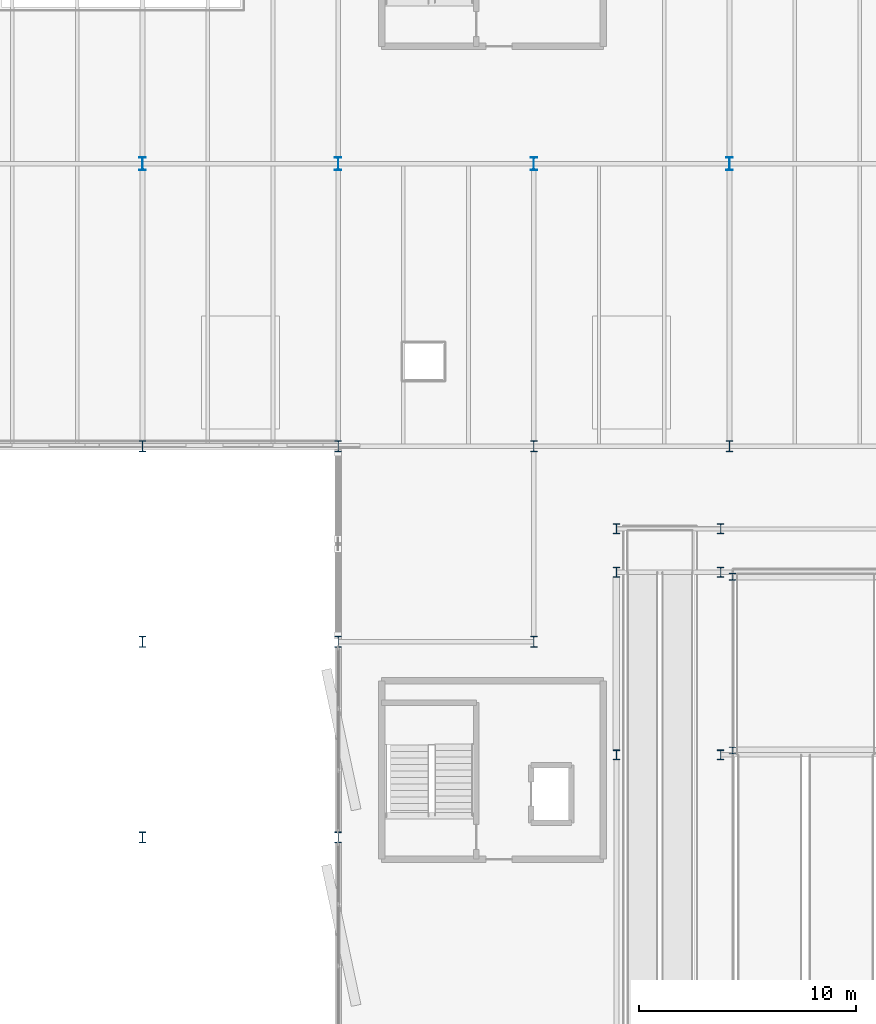
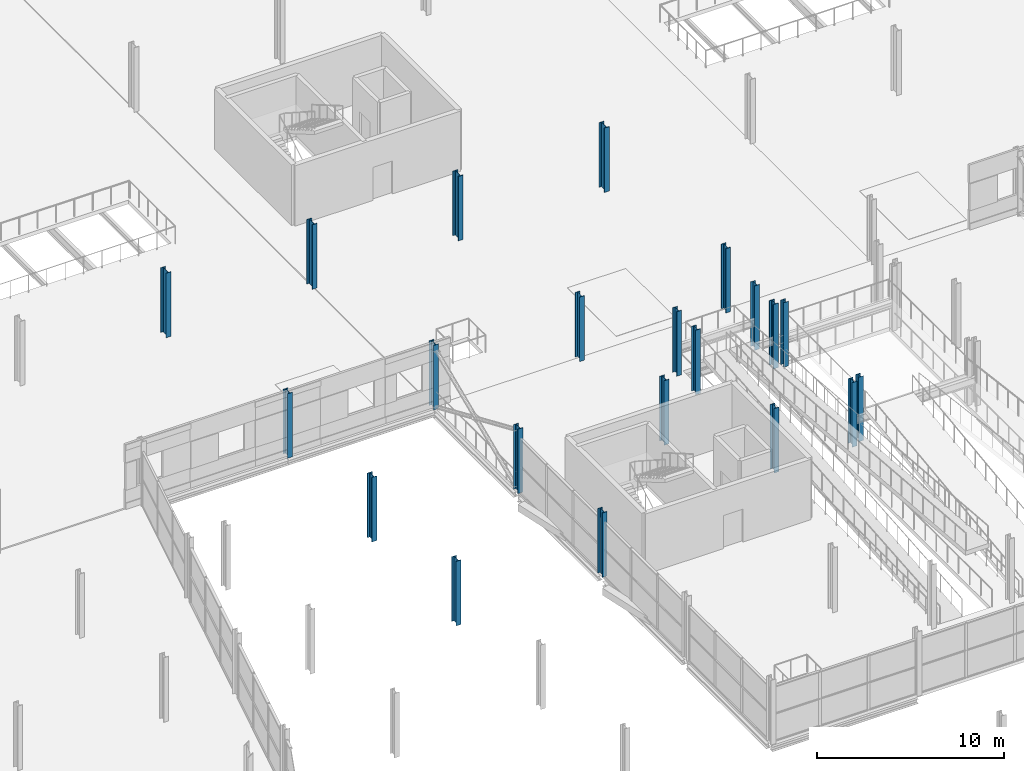
# One storey, part 9 of 132: 21 columns.
"""IFC4 building model written with IfcOpenShell, lengths in metres."""

from ifc_helpers import new_model, si_unit, direction, frame, origin, origin_2d, place, context, subcontext, project, spatial, i_section, extrude, material, material_profile, profile_set, type_object, element, save


model = new_model("IFC4")

# Units and contexts
model_context = context("Model", 3, precision=1e-05, world=origin(), true_north=direction((0.0, 1.0)))
body_context = subcontext(model_context, "Body", "Model", "MODEL_VIEW")
ifc_project = project(units=[si_unit("LENGTHUNIT", "METRE"), si_unit("AREAUNIT", "SQUARE_METRE"), si_unit("VOLUMEUNIT", "CUBIC_METRE"), si_unit("PLANEANGLEUNIT", "RADIAN"), si_unit("MASSUNIT", "GRAM", prefix="KILO")], contexts=[model_context])

# Site, building, storey
site_placement = place(None, origin())
site = spatial("IfcSite", under=ifc_project, at=site_placement, CompositionType="ELEMENT")
building_placement = place(site_placement, origin())
building = spatial("IfcBuilding", under=site, at=building_placement, Name="Deido Ridge Mobility Hub", CompositionType="ELEMENT")
storey_placement = place(building_placement, frame((0.0, 0.0, 8.39990234375)))
storey = spatial("IfcBuildingStorey", under=building, at=storey_placement, Name="L02", CompositionType="ELEMENT", Elevation=8.39990234375)

# Columns
ifc_material = material(Name="Steel S355J2 EN 10025-2", Category="steel")
ifc_material_profile_1 = material_profile(ifc_material, i_section(OverallWidth=0.300048828125, OverallDepth=0.320068359375, WebThickness=0.011474609375, FlangeThickness=0.0205078125, FilletRadius=0.027099609375, at=origin_2d()), Name="HEB 320")
ifc_profile_set_1 = profile_set([ifc_material_profile_1], Name="Steel S355J2 EN 10025-2")
column_type_1 = type_object("IfcColumnType", Name="COL-HEB320", PredefinedType="COLUMN", material=ifc_profile_set_1)
for number, where, z_axis, x_axis, name in (
    (1, (90.14990234375, 67.0, 0.0), (0.0, 0.0, 1.0), (1.0, 0.0, 0.0), "Structural column C9"),
    (2, (90.14990234375, 75.0, 0.0), (0.0, 0.0, 1.0), (1.0, 0.0, 0.0), "Structural column C9"),
):
    element("IfcColumn", number, at=place(storey_placement, frame(where, z_axis=z_axis, x_axis=x_axis)), inside=storey, type_object=column_type_1, Name=name, PredefinedType="COLUMN", context=body_context, shape_type="SweptSolid", body=[
        extrude(i_section(OverallWidth=0.300048828125, OverallDepth=0.320068359375, WebThickness=0.011474609375, FlangeThickness=0.0205078125, FilletRadius=0.027099609375, at=origin_2d()), origin(), (0.0, 0.0, 1.0), 4.2001953125),
    ])
ifc_material_profile_2 = material_profile(ifc_material, i_section(OverallWidth=0.300048828125, OverallDepth=0.449951171875, WebThickness=0.013916015625, FlangeThickness=0.02587890625, FilletRadius=0.027099609375, at=origin_2d()), Name="HEB 450")
ifc_profile_set_2 = profile_set([ifc_material_profile_2], Name="Steel S355J2 EN 10025-2")
column_type_2 = type_object("IfcColumnType", Name="COL-HEB450", PredefinedType="COLUMN", material=ifc_profile_set_2)
for number, where, z_axis, x_axis, name in (
    (3, (84.800048828125, 66.800048828125, 0.0), (0.0, 0.0, 1.0), (1.0, 0.0, 0.0), "Structural column C6"),
    (4, (84.800048828125, 75.199951171875, 0.0), (0.0, 0.0, 1.0), (1.0, 0.0, 0.0), "Structural column C6"),
    (5, (84.800048828125, 77.199951171875, 0.0), (0.0, 0.0, 1.0), (1.0, 0.0, 0.0), "Structural column C6"),
    (6, (89.60009765625, 66.800048828125, 0.0), (0.0, 0.0, 1.0), (1.0, 0.0, 0.0), "Structural column C6"),
    (7, (89.60009765625, 75.199951171875, 0.0), (0.0, 0.0, 1.0), (1.0, 0.0, 0.0), "Structural column C6"),
    (8, (89.60009765625, 77.199951171875, 0.0), (0.0, 0.0, 1.0), (1.0, 0.0, 0.0), "Structural column C6"),
):
    element("IfcColumn", number, at=place(storey_placement, frame(where, z_axis=z_axis, x_axis=x_axis)), inside=storey, type_object=column_type_2, Name=name, PredefinedType="COLUMN", context=body_context, shape_type="SweptSolid", body=[
        extrude(i_section(OverallWidth=0.300048828125, OverallDepth=0.449951171875, WebThickness=0.013916015625, FlangeThickness=0.02587890625, FilletRadius=0.027099609375, at=origin_2d()), origin(), (0.0, 0.0, 1.0), 4.2001953125),
    ])
ifc_material_profile_3 = material_profile(ifc_material, i_section(OverallWidth=0.300048828125, OverallDepth=0.5, WebThickness=0.014404296875, FlangeThickness=0.028076171875, FilletRadius=0.027099609375, at=origin_2d()), Name="HEB 500")
ifc_profile_set_3 = profile_set([ifc_material_profile_3], Name="Steel S355J2 EN 10025-2")
column_type_3 = type_object("IfcColumnType", Name="COL-HEB500", PredefinedType="COLUMN", material=ifc_profile_set_3)
for number, where, z_axis, x_axis, name in (
    (9, (72.0, 63.0, 0.0), (0.0, 0.0, 1.0), (1.0, 0.0, 0.0), "Structural column C5"),
    (10, (72.0, 72.0, 0.0), (0.0, 0.0, 1.0), (1.0, 0.0, 0.0), "Structural column C5"),
    (11, (72.0, 81.0, 0.0), (0.0, 0.0, 1.0), (1.0, 0.0, 0.0), "Structural column C5"),
    (12, (81.0, 72.0, 0.0), (0.0, 0.0, 1.0), (1.0, 0.0, 0.0), "Structural column C5"),
    (13, (81.0, 81.0, 0.0), (0.0, 0.0, 1.0), (1.0, 0.0, 0.0), "Structural column C5"),
    (14, (63.0, 63.0, 0.0), (0.0, 0.0, 1.0), (1.0, 0.0, 0.0), "Structural column C5"),
    (15, (63.0, 72.0, 0.0), (0.0, 0.0, 1.0), (1.0, 0.0, 0.0), "Structural column C5"),
    (16, (63.0, 81.0, 0.0), (0.0, 0.0, 1.0), (1.0, 0.0, 0.0), "Structural column C5"),
    (17, (90.0, 81.0, 0.0), (0.0, 0.0, 1.0), (1.0, 0.0, 0.0), "Structural column C5"),
):
    element("IfcColumn", number, at=place(storey_placement, frame(where, z_axis=z_axis, x_axis=x_axis)), inside=storey, type_object=column_type_3, Name=name, PredefinedType="COLUMN", context=body_context, shape_type="SweptSolid", body=[
        extrude(i_section(OverallWidth=0.300048828125, OverallDepth=0.5, WebThickness=0.014404296875, FlangeThickness=0.028076171875, FilletRadius=0.027099609375, at=origin_2d()), origin(), (0.0, 0.0, 1.0), 4.2001953125),
    ])
ifc_material_profile_4 = material_profile(ifc_material, i_section(OverallWidth=0.300048828125, OverallDepth=0.60009765625, WebThickness=0.015380859375, FlangeThickness=0.030029296875, FilletRadius=0.027099609375, at=origin_2d()), Name="HEB 600")
ifc_profile_set_4 = profile_set([ifc_material_profile_4], Name="Steel S355J2 EN 10025-2")
column_type_4 = type_object("IfcColumnType", Name="COL-HEB600", PredefinedType="COLUMN", material=ifc_profile_set_4)
for number, where, z_axis, x_axis, name in (
    (18, (63.0, 94.0, 0.0), (0.0, 0.0, 1.0), (1.0, 0.0, 0.0), "Structural column C4"),
    (19, (72.0, 94.0, 0.0), (0.0, 0.0, 1.0), (1.0, 0.0, 0.0), "Structural column C4"),
    (20, (81.0, 94.0, 0.0), (0.0, 0.0, 1.0), (1.0, 0.0, 0.0), "Structural column C4"),
    (21, (90.0, 94.0, 0.0), (0.0, 0.0, 1.0), (1.0, 0.0, 0.0), "Structural column C4"),
):
    element("IfcColumn", number, at=place(storey_placement, frame(where, z_axis=z_axis, x_axis=x_axis)), inside=storey, type_object=column_type_4, Name=name, PredefinedType="COLUMN", context=body_context, shape_type="SweptSolid", body=[
        extrude(i_section(OverallWidth=0.300048828125, OverallDepth=0.60009765625, WebThickness=0.015380859375, FlangeThickness=0.030029296875, FilletRadius=0.027099609375, at=origin_2d()), origin(), (0.0, 0.0, 1.0), 4.2001953125),
    ])

save(model, "model.ifc")
